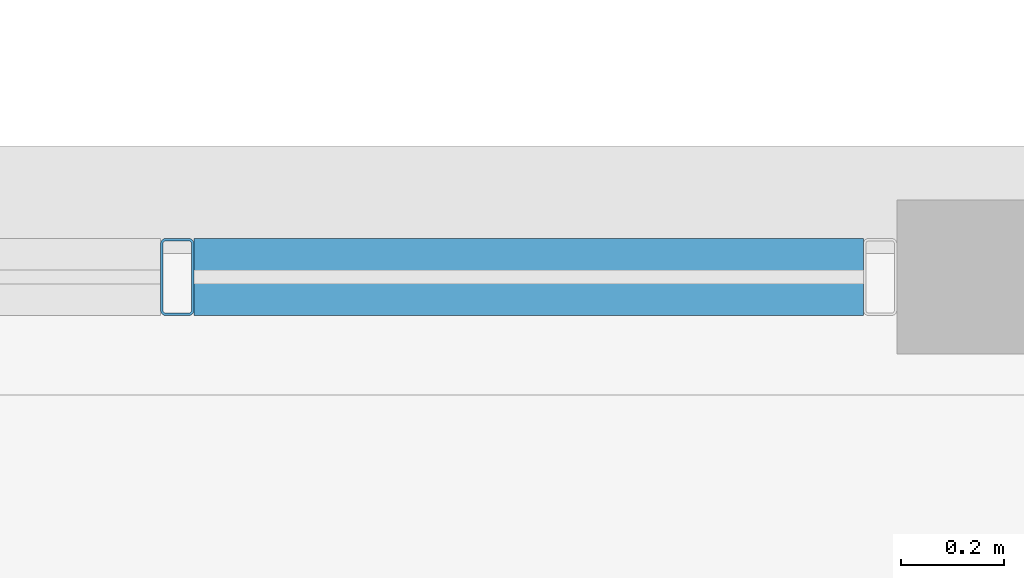
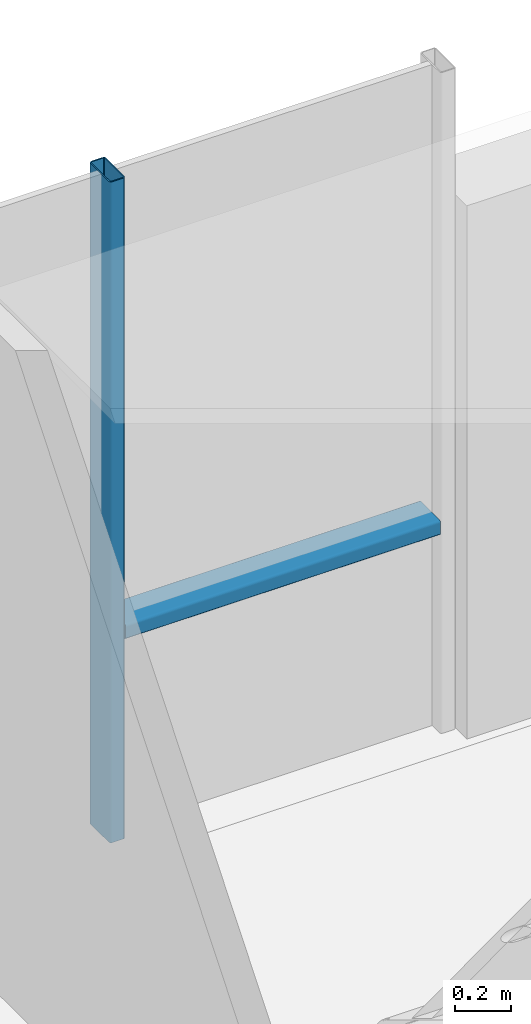
# One storey, part 14 of 35: 2 members, 1 element without a shape of its own.
"""IFC4 building model written with IfcOpenShell, lengths in metres."""

from ifc_helpers import new_model, si_unit, direction, frame, origin, origin_2d, place, context, subcontext, project, spatial, hollow_rectangle, extrude, material, layer, layer_set, material_profile, profile_set, type_object, element, aggregate, save


model = new_model("IFC4")

# Units and contexts
model_context = context("Model", 3, precision=1e-05, world=origin(), true_north=direction((0.0, 1.0)))
body_context = subcontext(model_context, "Body", "Model", "MODEL_VIEW")
ifc_project = project(units=[si_unit("LENGTHUNIT", "METRE"), si_unit("AREAUNIT", "SQUARE_METRE"), si_unit("VOLUMEUNIT", "CUBIC_METRE"), si_unit("PLANEANGLEUNIT", "RADIAN"), si_unit("MASSUNIT", "GRAM", prefix="KILO")], contexts=[model_context])

# Site, building, storey
site_placement = place(None, origin())
site = spatial("IfcSite", under=ifc_project, at=site_placement, CompositionType="ELEMENT")
building_placement = place(site_placement, origin())
building = spatial("IfcBuilding", under=site, at=building_placement, Name="Brevholm Reach", CompositionType="ELEMENT")
storey_placement = place(building_placement, frame((0.0, 0.0, 183.199951171875)))
storey = spatial("IfcBuildingStorey", under=building, at=storey_placement, Name="L55", CompositionType="ELEMENT", Elevation=183.199951171875)

# Curtain wall, members
ifc_material_1 = material(Name="Dark Anodised Aluminium 6063-T6 and Solar-Control Glass", Category="aluminium")
ifc_layer = layer(ifc_material_1, 0.14990234375)
ifc_layer_set = layer_set([ifc_layer], Name="Dark Anodised Aluminium 6063-T6 and Solar-Control Glass")
curtain_wall_type = type_object("IfcCurtainWallType", Name="CW-01", PredefinedType="NOTDEFINED", material=ifc_layer_set)
curtain_wall_placement = place(storey_placement, origin())
curtain_wall = element("IfcCurtainWall", 1, at=curtain_wall_placement, inside=storey, type_object=curtain_wall_type, Name="L55 Curtain Wall CW-01", PredefinedType="NOTDEFINED")
ifc_material_2 = material(Name="Dark Anodised Aluminium 6063-T6", Category="aluminium")
ifc_material_profile_1 = material_profile(ifc_material_2, hollow_rectangle(XDim=0.06494140625, YDim=0.14990234375, WallThickness=0.0048828125, InnerFilletRadius=0.0048828125, OuterFilletRadius=0.010009765625, at=origin_2d()), Name="RHS 150x65x5")
ifc_profile_set_1 = profile_set([ifc_material_profile_1], Name="Dark Anodised Aluminium 6063-T6")
member_type_1 = type_object("IfcMemberType", Name="CWM-150", PredefinedType="MULLION", material=ifc_profile_set_1)
member_1_placement = place(storey_placement, frame((30.800048828125, 26.35009765625, 0.0), z_axis=(0.0, 0.0, 1.0), x_axis=(1.0, 0.0, 0.0)))
member_1 = element("IfcMember", 2, at=member_1_placement, type_object=member_type_1, Name="CM-150 Mullion 2", PredefinedType="MULLION", context=body_context, shape_type="SweptSolid", body=[
    extrude(hollow_rectangle(XDim=0.06494140625, YDim=0.14990234375, WallThickness=0.0048828125, InnerFilletRadius=0.0048828125, OuterFilletRadius=0.010009765625, at=origin_2d()), origin(), (0.0, 0.0, 1.0), 2.89013671875),
])
ifc_material_3 = material(Name="Dark Anodised Aluminium 6063-T6", Category="aluminium")
ifc_material_profile_2 = material_profile(ifc_material_3, hollow_rectangle(XDim=0.06494140625, YDim=0.14990234375, WallThickness=0.0048828125, InnerFilletRadius=0.0048828125, OuterFilletRadius=0.010009765625, at=origin_2d()), Name="RHS 150x65x5")
ifc_profile_set_2 = profile_set([ifc_material_profile_2], Name="Dark Anodised Aluminium 6063-T6")
member_type_2 = type_object("IfcMemberType", Name="CWT-150", PredefinedType="NOTDEFINED", material=ifc_profile_set_2)
member_2_placement = place(storey_placement, frame((30.83251953125, 26.35009765625, 0.900146484375), z_axis=(1.0, 0.0, 0.0), x_axis=(0.0, 0.0, 1.0)))
member_2 = element("IfcMember", 3, at=member_2_placement, type_object=member_type_2, Name="CT-150 Transom 2.1", ObjectType="TRANSOM", PredefinedType="USERDEFINED", context=body_context, shape_type="SweptSolid", body=[
    extrude(hollow_rectangle(XDim=0.06494140625, YDim=0.14990234375, WallThickness=0.0048828125, InnerFilletRadius=0.0048828125, OuterFilletRadius=0.010009765625, at=origin_2d()), origin(), (0.0, 0.0, 1.0), 1.302490234375),
])
aggregate(curtain_wall, [member_1, member_2])

save(model, "model.ifc")
